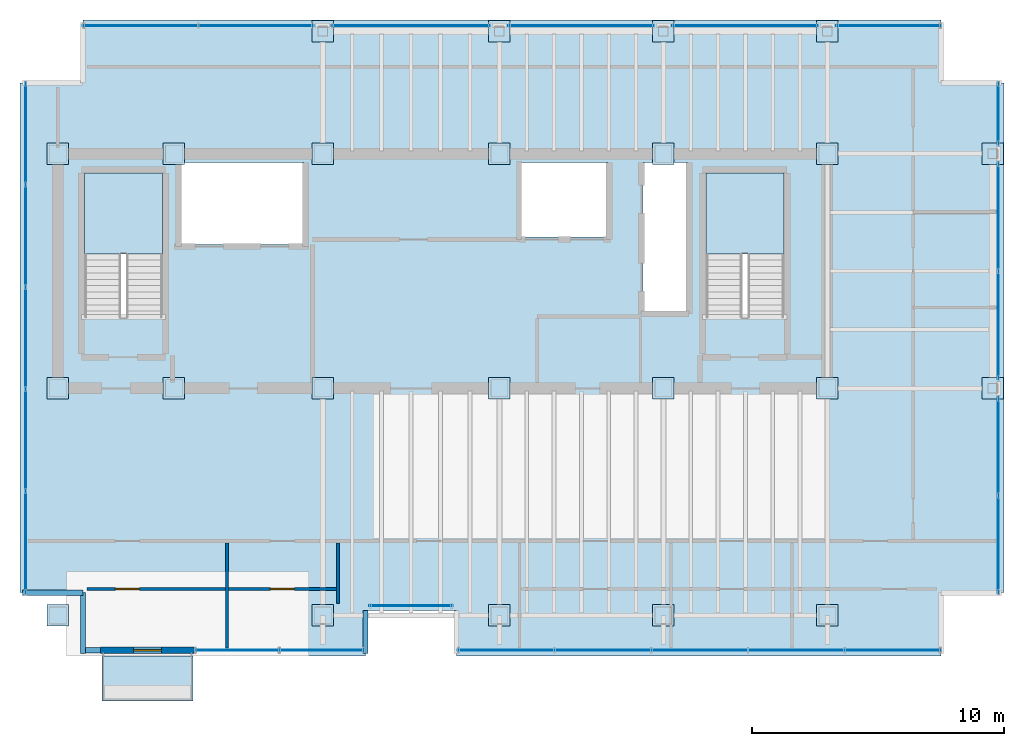
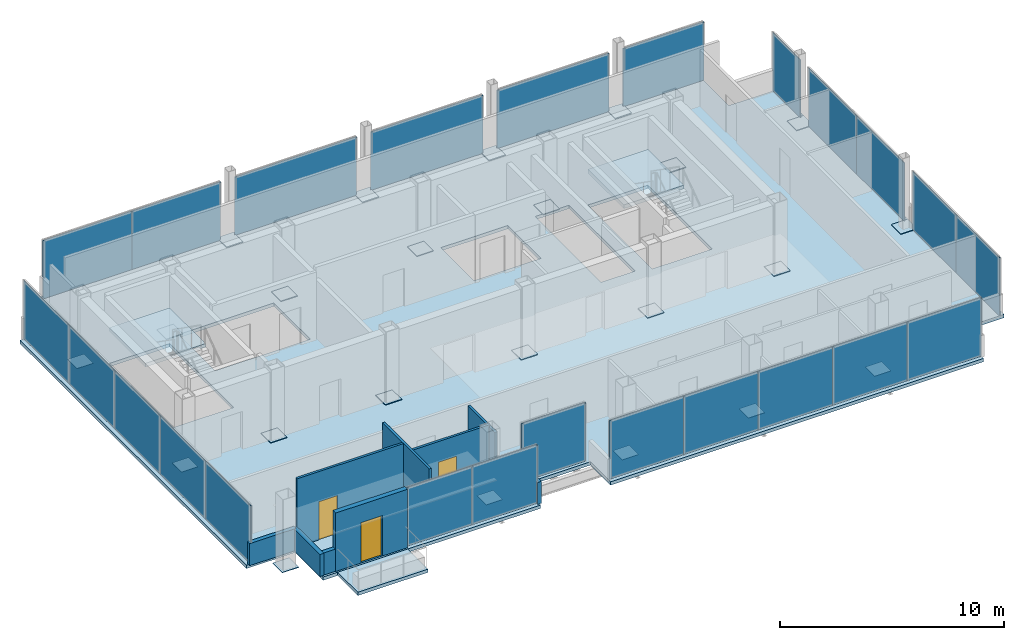
# One storey, part 14 of 17: 47 plates, 9 walls, 4 slabs, 3 doors, 8 openings, 14 elements without a shape of their own.
"""IFC4 building model written with IfcOpenShell, lengths in metres."""

import ifcopenshell
import ifcopenshell.guid

model = None  # the IFC model being written
_history = None  # IfcOwnerHistory: only IFC2X3 demands one
_inside = {}  # id of a spatial element -> (the spatial element, [elements in it])
_under = {}  # id of a project, library or spatial element -> (it, [spatial elements below it])
_declared = {}  # id of a project -> (the project, [libraries it declares])
_typed = {}  # id of a type object -> (the type object, [elements of that type])
_made_of = {}  # id of a material, layer set ... -> (it, [elements and type objects made of it])


def new_model(schema):
    """Start an empty IFC model of exactly this schema.

    Asked for "IFC4X3", IfcOpenShell would pick the latest addendum, in which some entities
    have other attributes; the version numbers below select the first issue.
    IFC2X3 requires an IfcOwnerHistory on every rooted entity: one is made here for all.
    """
    global model, _history
    if schema == "IFC4X3":
        model = ifcopenshell.file(schema_version=(4, 3, 0, 0))
    else:
        model = ifcopenshell.file(schema=schema)
    _inside.clear()
    _under.clear()
    _declared.clear()
    _typed.clear()
    _made_of.clear()
    _history = None
    if model.schema == "IFC2X3":
        org = make("IfcOrganization", Name="unknown")
        user = make(
            "IfcPersonAndOrganization",
            ThePerson=make("IfcPerson", FamilyName="unknown"),
            TheOrganization=org,
        )
        app = make(
            "IfcApplication",
            ApplicationDeveloper=org,
            Version="unknown",
            ApplicationFullName="unknown",
            ApplicationIdentifier="unknown",
        )
        _history = make(
            "IfcOwnerHistory",
            OwningUser=user,
            OwningApplication=app,
            ChangeAction="ADDED",
            CreationDate=0,
        )
    return model


def make(cls, **values):
    """One entity of the class cls with the attributes given. An attribute that is None is left unset."""
    return model.create_entity(
        cls, **{name: value for name, value in values.items() if value is not None}
    )


def rooted(cls, **values):
    """An entity with a GlobalId (a new one), such as an element, a storey or a relation."""
    return make(cls, GlobalId=ifcopenshell.guid.new(), OwnerHistory=_history, **values)


def si_unit(unit_type, name, prefix=None):
    """IfcSIUnit, for example si_unit("LENGTHUNIT", "METRE", prefix="MILLI")."""
    return make("IfcSIUnit", UnitType=unit_type, Prefix=prefix, Name=name)


def assignment(units):
    """IfcUnitAssignment: the units of a project."""
    return None if units is None else make("IfcUnitAssignment", Units=units)


def point(xyz):
    """IfcCartesianPoint."""
    return None if xyz is None else make("IfcCartesianPoint", Coordinates=xyz)


def direction(xyz):
    """IfcDirection."""
    return None if xyz is None else make("IfcDirection", DirectionRatios=xyz)


def frame(location, z_axis=None, x_axis=None):
    """IfcAxis2Placement3D, a coordinate frame: its origin and axes. An axis left out is left unset."""
    return make(
        "IfcAxis2Placement3D",
        Location=point(location),
        Axis=direction(z_axis),
        RefDirection=direction(x_axis),
    )


def frame_2d(location, x_axis=None):
    """IfcAxis2Placement2D, a coordinate frame in the plane: its origin and x axis."""
    return make(
        "IfcAxis2Placement2D", Location=point(location), RefDirection=direction(x_axis)
    )


def origin():
    """The frame at (0, 0, 0) with its axes left unset."""
    return frame((0.0, 0.0, 0.0))


def origin_2d():
    """The frame at (0, 0) in the plane with its x axis left unset."""
    return frame_2d((0.0, 0.0))


def place(relative_to, where):
    """IfcLocalPlacement: puts the frame where relative to a parent placement (None: the world)."""
    return make(
        "IfcLocalPlacement", PlacementRelTo=relative_to, RelativePlacement=where
    )


def context(
    kind, dimensions, precision=None, world=None, true_north=None, identifier=None
):
    """IfcGeometricRepresentationContext, for example the 3D "Model" context."""
    return make(
        "IfcGeometricRepresentationContext",
        ContextIdentifier=identifier,
        ContextType=kind,
        CoordinateSpaceDimension=dimensions,
        Precision=precision,
        WorldCoordinateSystem=world,
        TrueNorth=true_north,
    )


def subcontext(parent, identifier, kind, view, scale=None):
    """IfcGeometricRepresentationSubContext, for example "Body" below "Model"."""
    return make(
        "IfcGeometricRepresentationSubContext",
        ContextIdentifier=identifier,
        ContextType=kind,
        ParentContext=parent,
        TargetScale=scale,
        TargetView=view,
    )


def project(units=None, contexts=None):
    """IfcProject with its units and contexts."""
    return rooted(
        "IfcProject",
        Name="project",
        RepresentationContexts=contexts,
        UnitsInContext=assignment(units),
    )


def spatial(cls, under=None, at=None, **own):
    """A site, building, storey or space (cls), placed at a placement, below another one or the project."""
    s = rooted(cls, ObjectPlacement=at, **own)
    if under is not None:
        _under.setdefault(under.id(), (under, []))[1].append(s)
    return s


def polyline(points):
    """IfcPolyline through the points."""
    return make("IfcPolyline", Points=[point(p) for p in points])


def profile(cls, at=None, kind="AREA", **sizes):
    """A parametric profile (cls). Its sizes go by their IFC names, for example OverallWidth=200.0."""
    return make(cls, ProfileType=kind, Position=at, **sizes)


def rectangle(**sizes):
    """IfcRectangleProfileDef."""
    return profile("IfcRectangleProfileDef", **sizes)


def outline(outer, holes=None, kind="AREA"):
    """IfcArbitraryClosedProfileDef: a profile drawn as a closed curve; with holes, ...WithVoids."""
    if holes is None:
        return make("IfcArbitraryClosedProfileDef", ProfileType=kind, OuterCurve=outer)
    return make(
        "IfcArbitraryProfileDefWithVoids",
        ProfileType=kind,
        OuterCurve=outer,
        InnerCurves=holes,
    )


def extrude(swept, where, along, depth):
    """IfcExtrudedAreaSolid: the profile swept, set in the frame where, extruded along a direction by depth."""
    return make(
        "IfcExtrudedAreaSolid",
        SweptArea=swept,
        Position=where,
        ExtrudedDirection=direction(along),
        Depth=depth,
    )


def shape(context_of_items, identifier, shape_type, items):
    """IfcShapeRepresentation: the items that make up one representation, for example the "Body"."""
    return make(
        "IfcShapeRepresentation",
        ContextOfItems=context_of_items,
        RepresentationIdentifier=identifier,
        RepresentationType=shape_type,
        Items=items,
    )


def material(Name=None, Category=None):
    """IfcMaterial."""
    return make("IfcMaterial", Name=Name, Category=Category)


def layer(
    of_material, thickness, ventilated=None, Name=None, Category=None, Priority=None
):
    """IfcMaterialLayer: one layer of a wall or slab, of a material (None: an air gap)."""
    return make(
        "IfcMaterialLayer",
        Material=of_material,
        LayerThickness=thickness,
        IsVentilated=ventilated,
        Name=Name,
        Category=Category,
        Priority=Priority,
    )


def layer_set(layers, Name=None):
    """IfcMaterialLayerSet."""
    return make("IfcMaterialLayerSet", MaterialLayers=layers, LayerSetName=Name)


def made_of(thing, what):
    """Note that an element or type object is made of a material, layer set ...; save() writes the relation."""
    if what is not None:
        _made_of.setdefault(what.id(), (what, []))[1].append(thing)
    return thing


def type_object(cls, material=None, **own):
    """A type object (cls), such as IfcWallType, which elements share."""
    return made_of(rooted(cls, **own), material)


def element(
    cls,
    number,
    at=None,
    inside=None,
    cuts=None,
    type_object=None,
    material=None,
    context=None,
    identifier="Body",
    shape_type=None,
    held_by="IfcProductDefinitionShape",
    body=None,
    shapes=None,
    **own,
):
    """One element of the class cls, such as IfcWall. Its Tag is "e" and its number.

    at: its placement. inside: the storey or other place that contains it. cuts: it is an
    opening in that element (IfcRelVoidsElement). A single representation is given by context,
    identifier, shape_type and body (its items); several are given by shapes. held_by: the class
    of the entity that holds the representations. save() writes the other relations.
    """
    e = rooted(cls, Tag="e%d" % number, ObjectPlacement=at, **own)
    if body is not None:
        shapes = [shape(context, identifier, shape_type, body)]
    if shapes is not None:
        e.Representation = make(held_by, Representations=shapes)
    if inside is not None:
        _inside.setdefault(inside.id(), (inside, []))[1].append(e)
    if cuts is not None:
        rooted(
            "IfcRelVoidsElement", RelatingBuildingElement=cuts, RelatedOpeningElement=e
        )
    if type_object is not None:
        _typed.setdefault(type_object.id(), (type_object, []))[1].append(e)
    return made_of(e, material)


def fill(opening, filler):
    """IfcRelFillsElement: the door or window that sits in an opening."""
    return rooted(
        "IfcRelFillsElement",
        RelatingOpeningElement=opening,
        RelatedBuildingElement=filler,
    )


def aggregate(whole, parts):
    """IfcRelAggregates: a whole, such as a stair, and the parts it consists of."""
    return rooted("IfcRelAggregates", RelatingObject=whole, RelatedObjects=parts)


def save(model, path):
    """Write the relations noted so far, then the file.

    IfcRelAggregates (storeys below a building ...), IfcRelContainedInSpatialStructure (elements
    in a storey), IfcRelDefinesByType, IfcRelAssociatesMaterial and IfcRelDeclares: one each for
    every whole, place, type object, material and project.
    """
    for whole, parts in _under.values():
        aggregate(whole, parts)
    for where, things in _inside.values():
        rooted(
            "IfcRelContainedInSpatialStructure",
            RelatedElements=things,
            RelatingStructure=where,
        )
    for kind, things in _typed.values():
        rooted("IfcRelDefinesByType", RelatedObjects=things, RelatingType=kind)
    for what, things in _made_of.values():
        rooted("IfcRelAssociatesMaterial", RelatedObjects=things, RelatingMaterial=what)
    for by, libraries in _declared.values():
        rooted("IfcRelDeclares", RelatingContext=by, RelatedDefinitions=libraries)
    model.write(path)


model = new_model("IFC4")

# Units and contexts
model_context = context("Model", 3, precision=1e-05, world=origin(), true_north=direction((0.0, 1.0)))
body_context = subcontext(model_context, "Body", "Model", "MODEL_VIEW")
ifc_project = project(units=[si_unit("LENGTHUNIT", "METRE"), si_unit("AREAUNIT", "SQUARE_METRE"), si_unit("VOLUMEUNIT", "CUBIC_METRE"), si_unit("PLANEANGLEUNIT", "RADIAN"), si_unit("MASSUNIT", "GRAM", prefix="KILO")], contexts=[model_context])

# Site, building, storey
site_placement = place(None, origin())
site = spatial("IfcSite", under=ifc_project, at=site_placement, CompositionType="ELEMENT")
building_placement = place(site_placement, origin())
building = spatial("IfcBuilding", under=site, at=building_placement, Name="Noeulbin Bourse Tower", CompositionType="ELEMENT")
storey_placement = place(building_placement, frame((0.0, 0.0, 296.89990234375)))
storey = spatial("IfcBuildingStorey", under=building, at=storey_placement, Name="L74", CompositionType="ELEMENT", Elevation=296.89990234375)

# Curtain wall, plate
ifc_material_1 = material(Name="High-Selectivity Low-Iron Glazing", Category="glass")
curtain_wall_type = type_object("IfcCurtainWallType", Name="CW-SYS-4", PredefinedType="NOTDEFINED", material=ifc_material_1)
curtain_wall_1_placement = place(storey_placement, origin())
curtain_wall_1 = element("IfcCurtainWall", 1, at=curtain_wall_1_placement, inside=storey, type_object=curtain_wall_type, Name="Unitised Curtain Wall CW-L74-SREC", PredefinedType="NOTDEFINED")
ifc_layer_1 = layer(ifc_material_1, 0.035888671875)
ifc_layer_set_1 = layer_set([ifc_layer_1], Name="High-Selectivity Low-Iron Glazing")
plate_type_1 = type_object("IfcPlateType", Name="CW-SYS-4-PNL", PredefinedType="CURTAIN_PANEL", material=ifc_layer_set_1)
plate_1_placement = place(storey_placement, frame((27.5, 20.3798828125, 0.0), z_axis=(0.0, 0.0, 1.0), x_axis=(1.0, 0.0, 0.0)))
plate_1 = element("IfcPlate", 2, at=plate_1_placement, type_object=plate_type_1, Name="Glazed Curtain Panel CW-L74-SREC-P00", PredefinedType="CURTAIN_PANEL", context=body_context, shape_type="SweptSolid", body=[
    extrude(rectangle(XDim=3.300048828125, YDim=0.035888671875, at=origin_2d()), origin(), (0.0, 0.0, 1.0), 3.179931640625),
])
aggregate(curtain_wall_1, [plate_1])

# Curtain wall, plates
curtain_wall_2_placement = place(storey_placement, origin())
curtain_wall_2 = element("IfcCurtainWall", 3, at=curtain_wall_2_placement, inside=storey, type_object=curtain_wall_type, Name="Unitised Curtain Wall CW-L74-S1", PredefinedType="NOTDEFINED")
plate_2_placement = place(storey_placement, frame((20.58740234375, 18.6201171875, 0.0), z_axis=(0.0, 0.0, 1.0), x_axis=(1.0, 0.0, 0.0)))
plate_2 = element("IfcPlate", 4, at=plate_2_placement, type_object=plate_type_1, Name="Glazed Curtain Panel CW-L74-S1-P00", PredefinedType="CURTAIN_PANEL", context=body_context, shape_type="SweptSolid", body=[
    extrude(rectangle(XDim=3.375, YDim=0.035888671875, at=origin_2d()), origin(), (0.0, 0.0, 1.0), 3.179931640625),
])
plate_3_placement = place(storey_placement, frame((23.96240234375, 18.6201171875, 0.0), z_axis=(0.0, 0.0, 1.0), x_axis=(1.0, 0.0, 0.0)))
plate_3 = element("IfcPlate", 5, at=plate_3_placement, type_object=plate_type_1, Name="Glazed Curtain Panel CW-L74-S1-P01", PredefinedType="CURTAIN_PANEL", context=body_context, shape_type="SweptSolid", body=[
    extrude(rectangle(XDim=3.375, YDim=0.035888671875, at=origin_2d()), origin(), (0.0, 0.0, 1.0), 3.179931640625),
])
aggregate(curtain_wall_2, [plate_2, plate_3])

curtain_wall_3_placement = place(storey_placement, origin())
curtain_wall_3 = element("IfcCurtainWall", 6, at=curtain_wall_3_placement, inside=storey, type_object=curtain_wall_type, Name="Unitised Curtain Wall CW-L74-S2", PredefinedType="NOTDEFINED")
plate_4_placement = place(storey_placement, frame((31.26708984375, 18.6201171875, 0.0), z_axis=(0.0, 0.0, 1.0), x_axis=(1.0, 0.0, 0.0)))
plate_4 = element("IfcPlate", 7, at=plate_4_placement, type_object=plate_type_1, Name="Glazed Curtain Panel CW-L74-S2-P00", PredefinedType="CURTAIN_PANEL", context=body_context, shape_type="SweptSolid", body=[
    extrude(rectangle(XDim=3.833984375, YDim=0.035888671875, at=origin_2d()), origin(), (0.0, 0.0, 1.0), 3.179931640625),
])
plate_5_placement = place(storey_placement, frame((35.10107421875, 18.6201171875, 0.0), z_axis=(0.0, 0.0, 1.0), x_axis=(1.0, 0.0, 0.0)))
plate_5 = element("IfcPlate", 8, at=plate_5_placement, type_object=plate_type_1, Name="Glazed Curtain Panel CW-L74-S2-P01", PredefinedType="CURTAIN_PANEL", context=body_context, shape_type="SweptSolid", body=[
    extrude(rectangle(XDim=3.833984375, YDim=0.035888671875, at=origin_2d()), origin(), (0.0, 0.0, 1.0), 3.179931640625),
])
plate_6_placement = place(storey_placement, frame((38.93505859375, 18.6201171875, 0.0), z_axis=(0.0, 0.0, 1.0), x_axis=(1.0, 0.0, 0.0)))
plate_6 = element("IfcPlate", 9, at=plate_6_placement, type_object=plate_type_1, Name="Glazed Curtain Panel CW-L74-S2-P02", PredefinedType="CURTAIN_PANEL", context=body_context, shape_type="SweptSolid", body=[
    extrude(rectangle(XDim=3.833984375, YDim=0.035888671875, at=origin_2d()), origin(), (0.0, 0.0, 1.0), 3.179931640625),
])
plate_7_placement = place(storey_placement, frame((42.76904296875, 18.6201171875, 0.0), z_axis=(0.0, 0.0, 1.0), x_axis=(1.0, 0.0, 0.0)))
plate_7 = element("IfcPlate", 10, at=plate_7_placement, type_object=plate_type_1, Name="Glazed Curtain Panel CW-L74-S2-P03", PredefinedType="CURTAIN_PANEL", context=body_context, shape_type="SweptSolid", body=[
    extrude(rectangle(XDim=3.833984375, YDim=0.035888671875, at=origin_2d()), origin(), (0.0, 0.0, 1.0), 3.179931640625),
])
plate_8_placement = place(storey_placement, frame((46.60302734375, 18.6201171875, 0.0), z_axis=(0.0, 0.0, 1.0), x_axis=(1.0, 0.0, 0.0)))
plate_8 = element("IfcPlate", 11, at=plate_8_placement, type_object=plate_type_1, Name="Glazed Curtain Panel CW-L74-S2-P04", PredefinedType="CURTAIN_PANEL", context=body_context, shape_type="SweptSolid", body=[
    extrude(rectangle(XDim=3.833984375, YDim=0.035888671875, at=origin_2d()), origin(), (0.0, 0.0, 1.0), 3.179931640625),
])
aggregate(curtain_wall_3, [plate_4, plate_5, plate_6, plate_7, plate_8])

curtain_wall_4_placement = place(storey_placement, origin())
curtain_wall_4 = element("IfcCurtainWall", 12, at=curtain_wall_4_placement, inside=storey, type_object=curtain_wall_type, Name="Unitised Curtain Wall CW-L74-N-S1", PredefinedType="NOTDEFINED")
plate_9_placement = place(storey_placement, frame((16.77001953125, 43.3798828125, 0.0), z_axis=(0.0, 0.0, 1.0), x_axis=(1.0, 0.0, 0.0)))
plate_9 = element("IfcPlate", 13, at=plate_9_placement, type_object=plate_type_1, Name="Glazed Curtain Panel CW-L74-N-S1-P00", PredefinedType="CURTAIN_PANEL", context=body_context, shape_type="SweptSolid", body=[
    extrude(rectangle(XDim=4.580078125, YDim=0.035888671875, at=origin_2d()), origin(), (0.0, 0.0, 1.0), 3.179931640625),
])
plate_10_placement = place(storey_placement, frame((21.35009765625, 43.3798828125, 0.0), z_axis=(0.0, 0.0, 1.0), x_axis=(1.0, 0.0, 0.0)))
plate_10 = element("IfcPlate", 14, at=plate_10_placement, type_object=plate_type_1, Name="Glazed Curtain Panel CW-L74-N-S1-P01", PredefinedType="CURTAIN_PANEL", context=body_context, shape_type="SweptSolid", body=[
    extrude(rectangle(XDim=4.580078125, YDim=0.035888671875, at=origin_2d()), origin(), (0.0, 0.0, 1.0), 3.179931640625),
])
aggregate(curtain_wall_4, [plate_9, plate_10])

# Curtain wall, plate
curtain_wall_5_placement = place(storey_placement, origin())
curtain_wall_5 = element("IfcCurtainWall", 15, at=curtain_wall_5_placement, inside=storey, type_object=curtain_wall_type, Name="Unitised Curtain Wall CW-L74-N-S2", PredefinedType="NOTDEFINED")
plate_11_placement = place(storey_placement, frame((27.5, 43.3798828125, 0.0), z_axis=(0.0, 0.0, 1.0), x_axis=(1.0, 0.0, 0.0)))
plate_11 = element("IfcPlate", 16, at=plate_11_placement, type_object=plate_type_1, Name="Glazed Curtain Panel CW-L74-N-S2-P00", PredefinedType="CURTAIN_PANEL", context=body_context, shape_type="SweptSolid", body=[
    extrude(rectangle(XDim=6.280029296875, YDim=0.035888671875, at=origin_2d()), origin(), (0.0, 0.0, 1.0), 3.179931640625),
])
aggregate(curtain_wall_5, [plate_11])

curtain_wall_6_placement = place(storey_placement, origin())
curtain_wall_6 = element("IfcCurtainWall", 17, at=curtain_wall_6_placement, inside=storey, type_object=curtain_wall_type, Name="Unitised Curtain Wall CW-L74-N-S3", PredefinedType="NOTDEFINED")
plate_12_placement = place(storey_placement, frame((34.25, 43.3798828125, 0.0), z_axis=(0.0, 0.0, 1.0), x_axis=(1.0, 0.0, 0.0)))
plate_12 = element("IfcPlate", 18, at=plate_12_placement, type_object=plate_type_1, Name="Glazed Curtain Panel CW-L74-N-S3-P00", PredefinedType="CURTAIN_PANEL", context=body_context, shape_type="SweptSolid", body=[
    extrude(rectangle(XDim=5.780029296875, YDim=0.035888671875, at=origin_2d()), origin(), (0.0, 0.0, 1.0), 3.179931640625),
])
aggregate(curtain_wall_6, [plate_12])

curtain_wall_7_placement = place(storey_placement, origin())
curtain_wall_7 = element("IfcCurtainWall", 19, at=curtain_wall_7_placement, inside=storey, type_object=curtain_wall_type, Name="Unitised Curtain Wall CW-L74-N-S4", PredefinedType="NOTDEFINED")
plate_13_placement = place(storey_placement, frame((40.75, 43.3798828125, 0.0), z_axis=(0.0, 0.0, 1.0), x_axis=(1.0, 0.0, 0.0)))
plate_13 = element("IfcPlate", 20, at=plate_13_placement, type_object=plate_type_1, Name="Glazed Curtain Panel CW-L74-N-S4-P00", PredefinedType="CURTAIN_PANEL", context=body_context, shape_type="SweptSolid", body=[
    extrude(rectangle(XDim=5.780029296875, YDim=0.035888671875, at=origin_2d()), origin(), (0.0, 0.0, 1.0), 3.179931640625),
])
aggregate(curtain_wall_7, [plate_13])

curtain_wall_8_placement = place(storey_placement, origin())
curtain_wall_8 = element("IfcCurtainWall", 21, at=curtain_wall_8_placement, inside=storey, type_object=curtain_wall_type, Name="Unitised Curtain Wall CW-L74-N-S5", PredefinedType="NOTDEFINED")
plate_14_placement = place(storey_placement, frame((46.43994140625, 43.3798828125, 0.0), z_axis=(0.0, 0.0, 1.0), x_axis=(1.0, 0.0, 0.0)))
plate_14 = element("IfcPlate", 22, at=plate_14_placement, type_object=plate_type_1, Name="Glazed Curtain Panel CW-L74-N-S5-P00", PredefinedType="CURTAIN_PANEL", context=body_context, shape_type="SweptSolid", body=[
    extrude(rectangle(XDim=4.159912109375, YDim=0.035888671875, at=origin_2d()), origin(), (0.0, 0.0, 1.0), 3.179931640625),
])
aggregate(curtain_wall_8, [plate_14])

# Curtain wall, plates
curtain_wall_9_placement = place(storey_placement, origin())
curtain_wall_9 = element("IfcCurtainWall", 23, at=curtain_wall_9_placement, inside=storey, type_object=curtain_wall_type, Name="Unitised Curtain Wall CW-L74-W", PredefinedType="NOTDEFINED")
plate_15_placement = place(storey_placement, frame((12.219970703125, 22.904052734375, 0.0), z_axis=(0.0, 0.0, 1.0), x_axis=(0.0, 1.0, 0.0)))
plate_15 = element("IfcPlate", 24, at=plate_15_placement, type_object=plate_type_1, Name="Glazed Curtain Panel CW-L74-W-P00", PredefinedType="CURTAIN_PANEL", context=body_context, shape_type="SweptSolid", body=[
    extrude(rectangle(XDim=4.048095703125, YDim=0.035888671875, at=origin_2d()), origin(), (0.0, 0.0, 1.0), 3.179931640625),
])
plate_16_placement = place(storey_placement, frame((12.219970703125, 26.951904296875, 0.0), z_axis=(0.0, 0.0, 1.0), x_axis=(0.0, 1.0, 0.0)))
plate_16 = element("IfcPlate", 25, at=plate_16_placement, type_object=plate_type_1, Name="Glazed Curtain Panel CW-L74-W-P01", PredefinedType="CURTAIN_PANEL", context=body_context, shape_type="SweptSolid", body=[
    extrude(rectangle(XDim=4.048095703125, YDim=0.035888671875, at=origin_2d()), origin(), (0.0, 0.0, 1.0), 3.179931640625),
])
plate_17_placement = place(storey_placement, frame((12.219970703125, 31.0, 0.0), z_axis=(0.0, 0.0, 1.0), x_axis=(0.0, 1.0, 0.0)))
plate_17 = element("IfcPlate", 26, at=plate_17_placement, type_object=plate_type_1, Name="Glazed Curtain Panel CW-L74-W-P02", PredefinedType="CURTAIN_PANEL", context=body_context, shape_type="SweptSolid", body=[
    extrude(rectangle(XDim=4.048095703125, YDim=0.035888671875, at=origin_2d()), origin(), (0.0, 0.0, 1.0), 3.179931640625),
])
plate_18_placement = place(storey_placement, frame((12.219970703125, 35.048095703125, 0.0), z_axis=(0.0, 0.0, 1.0), x_axis=(0.0, 1.0, 0.0)))
plate_18 = element("IfcPlate", 27, at=plate_18_placement, type_object=plate_type_1, Name="Glazed Curtain Panel CW-L74-W-P03", PredefinedType="CURTAIN_PANEL", context=body_context, shape_type="SweptSolid", body=[
    extrude(rectangle(XDim=4.048095703125, YDim=0.035888671875, at=origin_2d()), origin(), (0.0, 0.0, 1.0), 3.179931640625),
])
plate_19_placement = place(storey_placement, frame((12.219970703125, 39.095947265625, 0.0), z_axis=(0.0, 0.0, 1.0), x_axis=(0.0, 1.0, 0.0)))
plate_19 = element("IfcPlate", 28, at=plate_19_placement, type_object=plate_type_1, Name="Glazed Curtain Panel CW-L74-W-P04", PredefinedType="CURTAIN_PANEL", context=body_context, shape_type="SweptSolid", body=[
    extrude(rectangle(XDim=4.048095703125, YDim=0.035888671875, at=origin_2d()), origin(), (0.0, 0.0, 1.0), 3.179931640625),
])
aggregate(curtain_wall_9, [plate_15, plate_16, plate_17, plate_18, plate_19])

curtain_wall_10_placement = place(storey_placement, origin())
curtain_wall_10 = element("IfcCurtainWall", 29, at=curtain_wall_10_placement, inside=storey, type_object=curtain_wall_type, Name="Unitised Curtain Wall CW-L74-E-S1", PredefinedType="NOTDEFINED")
plate_20_placement = place(storey_placement, frame((50.780029296875, 22.820068359375, 0.0), z_axis=(0.0, 0.0, 1.0), x_axis=(0.0, 1.0, 0.0)))
plate_20 = element("IfcPlate", 30, at=plate_20_placement, type_object=plate_type_1, Name="Glazed Curtain Panel CW-L74-E-S1-P00", PredefinedType="CURTAIN_PANEL", context=body_context, shape_type="SweptSolid", body=[
    extrude(rectangle(XDim=3.8798828125, YDim=0.035888671875, at=origin_2d()), origin(), (0.0, 0.0, 1.0), 3.179931640625),
])
plate_21_placement = place(storey_placement, frame((50.780029296875, 26.699951171875, 0.0), z_axis=(0.0, 0.0, 1.0), x_axis=(0.0, 1.0, 0.0)))
plate_21 = element("IfcPlate", 31, at=plate_21_placement, type_object=plate_type_1, Name="Glazed Curtain Panel CW-L74-E-S1-P01", PredefinedType="CURTAIN_PANEL", context=body_context, shape_type="SweptSolid", body=[
    extrude(rectangle(XDim=3.8798828125, YDim=0.035888671875, at=origin_2d()), origin(), (0.0, 0.0, 1.0), 3.179931640625),
])
aggregate(curtain_wall_10, [plate_20, plate_21])

curtain_wall_11_placement = place(storey_placement, origin())
curtain_wall_11 = element("IfcCurtainWall", 32, at=curtain_wall_11_placement, inside=storey, type_object=curtain_wall_type, Name="Unitised Curtain Wall CW-L74-E-S2", PredefinedType="NOTDEFINED")
plate_22_placement = place(storey_placement, frame((50.780029296875, 31.5048828125, 0.0), z_axis=(0.0, 0.0, 1.0), x_axis=(0.0, 1.0, 0.0)))
plate_22 = element("IfcPlate", 33, at=plate_22_placement, type_object=plate_type_1, Name="Glazed Curtain Panel CW-L74-E-S2-P00", PredefinedType="CURTAIN_PANEL", context=body_context, shape_type="SweptSolid", body=[
    extrude(rectangle(XDim=4.2900390625, YDim=0.035888671875, at=origin_2d()), origin(), (0.0, 0.0, 1.0), 3.179931640625),
])
plate_23_placement = place(storey_placement, frame((50.780029296875, 35.794921875, 0.0), z_axis=(0.0, 0.0, 1.0), x_axis=(0.0, 1.0, 0.0)))
plate_23 = element("IfcPlate", 34, at=plate_23_placement, type_object=plate_type_1, Name="Glazed Curtain Panel CW-L74-E-S2-P01", PredefinedType="CURTAIN_PANEL", context=body_context, shape_type="SweptSolid", body=[
    extrude(rectangle(XDim=4.2900390625, YDim=0.035888671875, at=origin_2d()), origin(), (0.0, 0.0, 1.0), 3.179931640625),
])
aggregate(curtain_wall_11, [plate_22, plate_23])

# Curtain wall, plate
curtain_wall_12_placement = place(storey_placement, origin())
curtain_wall_12 = element("IfcCurtainWall", 35, at=curtain_wall_12_placement, inside=storey, type_object=curtain_wall_type, Name="Unitised Curtain Wall CW-L74-E-S3", PredefinedType="NOTDEFINED")
plate_24_placement = place(storey_placement, frame((50.780029296875, 39.889892578125, 0.0), z_axis=(0.0, 0.0, 1.0), x_axis=(0.0, 1.0, 0.0)))
plate_24 = element("IfcPlate", 36, at=plate_24_placement, type_object=plate_type_1, Name="Glazed Curtain Panel CW-L74-E-S3-P00", PredefinedType="CURTAIN_PANEL", context=body_context, shape_type="SweptSolid", body=[
    extrude(rectangle(XDim=2.4599609375, YDim=0.035888671875, at=origin_2d()), origin(), (0.0, 0.0, 1.0), 3.179931640625),
])
aggregate(curtain_wall_12, [plate_24])

# Plates
ifc_material_2 = material(Name="Steel S355", Category="steel")
ifc_layer_2 = layer(ifc_material_2, 0.030029296875)
ifc_layer_set_2 = layer_set([ifc_layer_2], Name="Steel S355")
plate_type_2 = type_object("IfcPlateType", Name="PLT-BN1", PredefinedType="USERDEFINED", material=ifc_layer_set_2)
for number, where, z_axis, x_axis, name in (
    (37, (13.5, 29.0, 0.0048828125), (0.0, 0.0, 1.0), (1.0, 0.0, 0.0), "Mega-Column Splice Plate BN1-L74-01"),
    (38, (13.5, 38.300048828125, 0.0048828125), (0.0, 0.0, 1.0), (1.0, 0.0, 0.0), "Mega-Column Splice Plate BN1-L74-02"),
    (39, (18.10009765625, 29.0, 0.0048828125), (0.0, 0.0, 1.0), (1.0, 0.0, 0.0), "Mega-Column Splice Plate BN1-L74-03"),
    (40, (18.10009765625, 38.300048828125, 0.0048828125), (0.0, 0.0, 1.0), (1.0, 0.0, 0.0), "Mega-Column Splice Plate BN1-L74-04"),
    (41, (24.0, 29.0, 0.0048828125), (0.0, 0.0, 1.0), (1.0, 0.0, 0.0), "Mega-Column Splice Plate BN1-L74-05"),
    (42, (24.0, 38.300048828125, 0.0048828125), (0.0, 0.0, 1.0), (1.0, 0.0, 0.0), "Mega-Column Splice Plate BN1-L74-06"),
    (43, (31.0, 29.0, 0.0048828125), (0.0, 0.0, 1.0), (1.0, 0.0, 0.0), "Mega-Column Splice Plate BN1-L74-07"),
    (44, (31.0, 38.300048828125, 0.0048828125), (0.0, 0.0, 1.0), (1.0, 0.0, 0.0), "Mega-Column Splice Plate BN1-L74-08"),
    (45, (37.5, 29.0, 0.0048828125), (0.0, 0.0, 1.0), (1.0, 0.0, 0.0), "Mega-Column Splice Plate BN1-L74-09"),
    (46, (37.5, 38.300048828125, 0.0048828125), (0.0, 0.0, 1.0), (1.0, 0.0, 0.0), "Mega-Column Splice Plate BN1-L74-10"),
    (47, (44.0, 29.0, 0.0048828125), (0.0, 0.0, 1.0), (1.0, 0.0, 0.0), "Mega-Column Splice Plate BN1-L74-11"),
    (48, (44.0, 38.300048828125, 0.0048828125), (0.0, 0.0, 1.0), (1.0, 0.0, 0.0), "Mega-Column Splice Plate BN1-L74-12"),
    (49, (13.5, 20.0, 0.0048828125), (0.0, 0.0, 1.0), (1.0, 0.0, 0.0), "Mega-Column Splice Plate BN1-L74-13"),
    (50, (24.0, 20.0, 0.0048828125), (0.0, 0.0, 1.0), (1.0, 0.0, 0.0), "Mega-Column Splice Plate BN1-L74-14"),
    (51, (31.0, 20.0, 0.0048828125), (0.0, 0.0, 1.0), (1.0, 0.0, 0.0), "Mega-Column Splice Plate BN1-L74-15"),
    (52, (37.5, 20.0, 0.0048828125), (0.0, 0.0, 1.0), (1.0, 0.0, 0.0), "Mega-Column Splice Plate BN1-L74-16"),
    (53, (44.0, 20.0, 0.0048828125), (0.0, 0.0, 1.0), (1.0, 0.0, 0.0), "Mega-Column Splice Plate BN1-L74-17"),
    (54, (24.0, 43.14990234375, 0.0048828125), (0.0, 0.0, 1.0), (1.0, 0.0, 0.0), "Perimeter Column Splice Plate BN1-L74-01"),
    (55, (31.0, 43.14990234375, 0.0048828125), (0.0, 0.0, 1.0), (1.0, 0.0, 0.0), "Perimeter Column Splice Plate BN1-L74-02"),
    (56, (37.5, 43.14990234375, 0.0048828125), (0.0, 0.0, 1.0), (1.0, 0.0, 0.0), "Perimeter Column Splice Plate BN1-L74-03"),
    (57, (44.0, 43.14990234375, 0.0048828125), (0.0, 0.0, 1.0), (1.0, 0.0, 0.0), "Perimeter Column Splice Plate BN1-L74-04"),
    (58, (50.550048828125, 29.0, 0.0048828125), (0.0, 0.0, 1.0), (1.0, 0.0, 0.0), "Perimeter Column Splice Plate BN1-L74-05"),
    (59, (50.550048828125, 38.300048828125, 0.0048828125), (0.0, 0.0, 1.0), (1.0, 0.0, 0.0), "Perimeter Column Splice Plate BN1-L74-06"),
):
    element("IfcPlate", number, at=place(storey_placement, frame(where, z_axis=z_axis, x_axis=x_axis)), inside=storey, type_object=plate_type_2, Name=name, ObjectType="SPLICE PLATE", PredefinedType="USERDEFINED", context=body_context, shape_type="SweptSolid", body=[
        extrude(rectangle(XDim=0.85009765625, YDim=0.85009765625, at=origin_2d()), origin(), (0.0, 0.0, 1.0), 0.030029296875),
    ])

# Stair, slab
ifc_material_3 = material(Name="Concrete C40/50", Category="concrete")
stair_type = type_object("IfcStairType", Name="STR-CORE-1560", PredefinedType="HALF_TURN_STAIR", material=ifc_material_3)
stair_1_placement = place(storey_placement, origin())
stair_1 = element("IfcStair", 60, at=stair_1_placement, inside=storey, type_object=stair_type, Name="L74 ST-1", PredefinedType="HALF_TURN_STAIR")
ifc_layer_3 = layer(ifc_material_3, 0.199951171875)
ifc_layer_set_3 = layer_set([ifc_layer_3], Name="Concrete C40/50")
slab_type_1 = type_object("IfcSlabType", Name="SLB-LND-200", PredefinedType="LANDING", material=ifc_layer_set_3)
slab_1_placement = place(storey_placement, frame((0.0, 0.0, 1.75)))
slab_1 = element("IfcSlab", 61, at=slab_1_placement, type_object=slab_type_1, Name="ST-1 landing 1", PredefinedType="LANDING", context=body_context, shape_type="SweptSolid", body=[
    extrude(outline(polyline([(17.64990234375, 34.330078125), (17.64990234375, 37.5439453125), (14.550048828125, 37.5439453125), (14.550048828125, 34.330078125), (17.64990234375, 34.330078125)])), origin(), (0.0, 0.0, 1.0), 0.2001953125),
])
aggregate(stair_1, [slab_1])

stair_2_placement = place(storey_placement, origin())
stair_2 = element("IfcStair", 62, at=stair_2_placement, inside=storey, type_object=stair_type, Name="L74 ST-2", PredefinedType="HALF_TURN_STAIR")
slab_2_placement = place(storey_placement, frame((0.0, 0.0, 1.75)))
slab_2 = element("IfcSlab", 63, at=slab_2_placement, type_object=slab_type_1, Name="ST-2 landing 1", PredefinedType="LANDING", context=body_context, shape_type="SweptSolid", body=[
    extrude(outline(polyline([(42.280029296875, 34.330078125), (42.280029296875, 37.5439453125), (39.179931640625, 37.5439453125), (39.179931640625, 34.330078125), (42.280029296875, 34.330078125)])), origin(), (0.0, 0.0, 1.0), 0.2001953125),
])
aggregate(stair_2, [slab_2])

# Slab, openings
ifc_layer_4 = layer(ifc_material_3, 0.179931640625)
ifc_layer_set_4 = layer_set([ifc_layer_4], Name="Concrete C40/50")
slab_type_2 = type_object("IfcSlabType", Name="SLB-TYP-180", PredefinedType="FLOOR", material=ifc_layer_set_4)
slab_3_placement = place(storey_placement, frame((0.0, 0.0, -0.179931640625)))
slab_3 = element("IfcSlab", 64, at=slab_3_placement, inside=storey, type_object=slab_type_2, Name="Tower Structural Floor Slab L74", PredefinedType="FLOOR", context=body_context, shape_type="SweptSolid", body=[
    extrude(outline(polyline([(14.5, 18.39990234375), (25.699951171875, 18.39990234375), (25.699951171875, 20.199951171875), (29.300048828125, 20.199951171875), (29.300048828125, 18.39990234375), (48.5, 18.39990234375), (48.5, 20.89990234375), (51.0, 20.89990234375), (51.0, 41.10009765625), (48.5, 41.10009765625), (48.5, 43.60009765625), (14.5, 43.60009765625), (14.5, 41.10009765625), (12.0, 41.10009765625), (12.0, 20.89990234375), (14.5, 20.89990234375), (14.5, 18.39990234375)]), holes=[polyline([(17.64990234375, 31.81005859375), (17.64990234375, 37.5439453125), (14.550048828125, 37.5439453125), (14.550048828125, 31.81005859375), (17.64990234375, 31.81005859375)]), polyline([(42.280029296875, 31.81005859375), (42.280029296875, 37.5439453125), (39.179931640625, 37.5439453125), (39.179931640625, 31.81005859375), (42.280029296875, 31.81005859375)]), polyline([(18.35009765625, 34.699951171875), (23.25, 34.699951171875), (23.25, 37.949951171875), (18.35009765625, 37.949951171875), (18.35009765625, 34.699951171875)]), polyline([(36.699951171875, 32.050048828125), (38.449951171875, 32.050048828125), (38.449951171875, 37.949951171875), (36.699951171875, 37.949951171875), (36.699951171875, 32.050048828125)]), polyline([(31.85009765625, 35.0), (35.300048828125, 35.0), (35.300048828125, 37.949951171875), (31.85009765625, 37.949951171875), (31.85009765625, 35.0)])]), origin(), (0.0, 0.0, 1.0), 0.179931640625),
])
opening_1_placement = place(slab_3_placement, frame((0.0, 0.0, -0.010009765625)))
element("IfcOpeningElement", 65, at=opening_1_placement, cuts=slab_3, Name="Slab Shaft Opening SLB-L74-TWR-1", PredefinedType="OPENING", context=body_context, shape_type="SweptSolid", body=[
    extrude(outline(polyline([(17.64990234375, 31.81005859375), (17.64990234375, 37.5439453125), (14.550048828125, 37.5439453125), (14.550048828125, 31.81005859375), (17.64990234375, 31.81005859375)])), origin(), (0.0, 0.0, 1.0), 0.199951171875),
])
opening_2_placement = place(slab_3_placement, frame((0.0, 0.0, -0.010009765625)))
element("IfcOpeningElement", 66, at=opening_2_placement, cuts=slab_3, Name="Slab Shaft Opening SLB-L74-TWR-2", PredefinedType="OPENING", context=body_context, shape_type="SweptSolid", body=[
    extrude(outline(polyline([(42.280029296875, 31.81005859375), (42.280029296875, 37.5439453125), (39.179931640625, 37.5439453125), (39.179931640625, 31.81005859375), (42.280029296875, 31.81005859375)])), origin(), (0.0, 0.0, 1.0), 0.199951171875),
])
opening_3_placement = place(slab_3_placement, frame((0.0, 0.0, -0.010009765625)))
element("IfcOpeningElement", 67, at=opening_3_placement, cuts=slab_3, Name="Slab Shaft Opening SLB-L74-TWR-3", PredefinedType="OPENING", context=body_context, shape_type="SweptSolid", body=[
    extrude(outline(polyline([(18.35009765625, 34.699951171875), (23.25, 34.699951171875), (23.25, 37.949951171875), (18.35009765625, 37.949951171875), (18.35009765625, 34.699951171875)])), origin(), (0.0, 0.0, 1.0), 0.199951171875),
])
opening_4_placement = place(slab_3_placement, frame((0.0, 0.0, -0.010009765625)))
element("IfcOpeningElement", 68, at=opening_4_placement, cuts=slab_3, Name="Slab Shaft Opening SLB-L74-TWR-4", PredefinedType="OPENING", context=body_context, shape_type="SweptSolid", body=[
    extrude(outline(polyline([(36.699951171875, 32.050048828125), (38.449951171875, 32.050048828125), (38.449951171875, 37.949951171875), (36.699951171875, 37.949951171875), (36.699951171875, 32.050048828125)])), origin(), (0.0, 0.0, 1.0), 0.199951171875),
])
opening_5_placement = place(slab_3_placement, frame((0.0, 0.0, -0.010009765625)))
element("IfcOpeningElement", 69, at=opening_5_placement, cuts=slab_3, Name="Slab Shaft Opening SLB-L74-TWR-5", PredefinedType="OPENING", context=body_context, shape_type="SweptSolid", body=[
    extrude(outline(polyline([(31.85009765625, 35.0), (35.300048828125, 35.0), (35.300048828125, 37.949951171875), (31.85009765625, 37.949951171875), (31.85009765625, 35.0)])), origin(), (0.0, 0.0, 1.0), 0.199951171875),
])

# Slab
slab_4_placement = place(storey_placement, frame((0.0, 0.0, -0.179931640625)))
element("IfcSlab", 70, at=slab_4_placement, inside=storey, type_object=slab_type_2, Name="Cantilevered Tree-Balcony Slab L74", PredefinedType="FLOOR", context=body_context, shape_type="SweptSolid", body=[
    extrude(outline(polyline([(15.25, 16.60009765625), (18.85009765625, 16.60009765625), (18.85009765625, 18.39990234375), (15.25, 18.39990234375), (15.25, 16.60009765625)])), origin(), (0.0, 0.0, 1.0), 0.179931640625),
])

# Wall, opening, door
ifc_material_4 = material(Name="Precast Concrete C40/50", Category="concrete")
ifc_layer_5 = layer(ifc_material_4, 0.25)
ifc_layer_set_5 = layer_set([ifc_layer_5], Name="Precast Concrete C40/50")
wall_type_1 = type_object("IfcWallType", Name="WAL-EXT-250", PredefinedType="STANDARD", material=ifc_layer_set_5)
wall_1_placement = place(storey_placement, frame((15.199951171875, 18.6201171875, 0.0), z_axis=(0.0, 0.0, 1.0), x_axis=(1.0, 0.0, 0.0)))
wall_1 = element("IfcWall", 71, at=wall_1_placement, inside=storey, type_object=wall_type_1, Name="Balcony Threshold Wall L74", PredefinedType="STANDARD", context=body_context, shape_type="SweptSolid", body=[
    extrude(rectangle(XDim=3.699951171875, YDim=0.25, at=frame_2d((1.85009765625, 0.0))), origin(), (0.0, 0.0, 1.0), 3.18017578125),
])
opening_6_placement = place(wall_1_placement, frame((1.300048828125, 0.0, 0.0)))
opening_6 = element("IfcOpeningElement", 72, at=opening_6_placement, cuts=wall_1, Name="Opening BD-11", PredefinedType="OPENING", context=body_context, shape_type="SweptSolid", body=[
    extrude(rectangle(XDim=1.10009765625, YDim=2.199951171875, at=frame_2d((0.550048828125, 1.10009765625))), frame((0.0, 0.135009765625, 0.0), z_axis=(0.0, -1.0, 0.0), x_axis=(1.0, 0.0, 0.0)), (0.0, 0.0, 1.0), 0.27001953125),
])
ifc_material_5 = material(Name="Thermally Broken Aluminium Framed Glass", Category="aluminium")
door_type_1 = type_object("IfcDoorType", Name="DR-BAL-1100", OperationType="SINGLE_SWING_LEFT", PredefinedType="DOOR", material=ifc_material_5)
door_1_placement = place(opening_6_placement, origin())
door_1 = element("IfcDoor", 73, at=door_1_placement, inside=storey, type_object=door_type_1, Name="Tree-Balcony Access Door BD-L74", OperationType="SINGLE_SWING_RIGHT", OverallHeight=2.199951171875, OverallWidth=1.10009765625, PredefinedType="DOOR", context=body_context, shape_type="SweptSolid", body=[
    extrude(rectangle(XDim=1.10009765625, YDim=2.199951171875, at=frame_2d((0.550048828125, 1.10009765625))), frame((0.0, 0.02490234375, 0.0), z_axis=(0.0, -1.0, 0.0), x_axis=(1.0, 0.0, 0.0)), (0.0, 0.0, 1.0), 0.050048828125),
])
fill(opening_6, door_1)

# Walls
ifc_layer_6 = layer(ifc_material_3, 0.199951171875)
ifc_layer_set_6 = layer_set([ifc_layer_6], Name="Concrete C40/50")
wall_type_2 = type_object("IfcWallType", Name="WAL-PAR-200", PredefinedType="PARAPET", material=ifc_layer_set_6)
wall_2_placement = place(storey_placement, frame((14.60009765625, 18.6201171875, 0.0), z_axis=(0.0, 0.0, 1.0), x_axis=(1.0, 0.0, 0.0)))
element("IfcWall", 74, at=wall_2_placement, inside=storey, type_object=wall_type_2, Name="Perimeter Pier Spandrel Parapet L74-S7", PredefinedType="PARAPET", context=body_context, shape_type="SweptSolid", body=[
    extrude(rectangle(XDim=0.599853515625, YDim=0.199951171875, at=frame_2d((0.2998046875, 0.0))), origin(), (0.0, 0.0, 1.0), 1.2001953125),
])
for number, where, z_axis, x_axis, name in (
    (75, (12.10009765625, 20.89990234375, 0.0), (0.0, 0.0, 1.0), (1.0, 0.0, 0.0), "Corner Notch Parapet L74-SW1"),
    (76, (14.5, 20.89990234375, 0.0), (0.0, 0.0, 1.0), (0.0, -1.0, 0.0), "Corner Notch Parapet L74-SW2"),
):
    element("IfcWall", number, at=place(storey_placement, frame(where, z_axis=z_axis, x_axis=x_axis)), inside=storey, type_object=wall_type_2, Name=name, PredefinedType="PARAPET", context=body_context, shape_type="SweptSolid", body=[
        extrude(rectangle(XDim=2.39990234375, YDim=0.199951171875, at=frame_2d((1.199951171875, 0.0))), origin(), (0.0, 0.0, 1.0), 1.2001953125),
    ])
wall_3_placement = place(storey_placement, frame((25.699951171875, 18.5, 0.0), z_axis=(0.0, 0.0, 1.0), x_axis=(0.0, 1.0, 0.0)))
element("IfcWall", 77, at=wall_3_placement, inside=storey, type_object=wall_type_2, Name="Sky-Garden Recess Parapet L74-W", PredefinedType="PARAPET", context=body_context, shape_type="SweptSolid", body=[
    extrude(rectangle(XDim=1.699951171875, YDim=0.199951171875, at=frame_2d((0.85009765625, 0.0))), origin(), (0.0, 0.0, 1.0), 1.2001953125),
])

# Wall, opening, door
ifc_material_6 = material(Name="Steel Stud Gypsum Partition", Category="steel")
ifc_layer_7 = layer(ifc_material_6, 0.1201171875)
ifc_layer_set_7 = layer_set([ifc_layer_7], Name="Steel Stud Gypsum Partition")
wall_type_3 = type_object("IfcWallType", Name="WAL-PRT-120", PredefinedType="PARTITIONING", material=ifc_layer_set_7)
wall_4_placement = place(storey_placement, frame((14.659912109375, 21.050048828125, 0.0), z_axis=(0.0, 0.0, 1.0), x_axis=(1.0, 0.0, 0.0)))
wall_4 = element("IfcWall", 78, at=wall_4_placement, inside=storey, type_object=wall_type_3, Name="Interior Partition Wall L74-05", PredefinedType="PARTITIONING", context=body_context, shape_type="SweptSolid", body=[
    extrude(rectangle(XDim=5.5400390625, YDim=0.1201171875, at=frame_2d((2.77001953125, 0.0))), origin(), (0.0, 0.0, 1.0), 3.72021484375),
])
opening_7_placement = place(wall_4_placement, frame((1.1201171875, 0.0, 0.0)))
opening_7 = element("IfcOpeningElement", 79, at=opening_7_placement, cuts=wall_4, Name="Opening ID-09", PredefinedType="OPENING", context=body_context, shape_type="SweptSolid", body=[
    extrude(rectangle(XDim=0.949951171875, YDim=2.080078125, at=frame_2d((0.47509765625, 1.0400390625))), frame((0.0, 0.070068359375, 0.0), z_axis=(0.0, -1.0, 0.0), x_axis=(1.0, 0.0, 0.0)), (0.0, 0.0, 1.0), 0.14013671875),
])
ifc_material_7 = material(Name="Acoustic Solid-Core Timber", Category="wood")
door_type_2 = type_object("IfcDoorType", Name="DR-SINGLE-950", OperationType="SINGLE_SWING_LEFT", PredefinedType="DOOR", material=ifc_material_7)
door_2_placement = place(opening_7_placement, origin())
door_2 = element("IfcDoor", 80, at=door_2_placement, inside=storey, type_object=door_type_2, Name="Interior Door L74-07", OperationType="SINGLE_SWING_RIGHT", OverallHeight=2.080078125, OverallWidth=0.949951171875, PredefinedType="DOOR", context=body_context, shape_type="SweptSolid", body=[
    extrude(rectangle(XDim=0.949951171875, YDim=2.080078125, at=frame_2d((0.47509765625, 1.0400390625))), frame((0.0, 0.02490234375, 0.0), z_axis=(0.0, -1.0, 0.0), x_axis=(1.0, 0.0, 0.0)), (0.0, 0.0, 1.0), 0.050048828125),
])
fill(opening_7, door_2)

wall_5_placement = place(storey_placement, frame((20.199951171875, 21.050048828125, 0.0), z_axis=(0.0, 0.0, 1.0), x_axis=(1.0, 0.0, 0.0)))
wall_5 = element("IfcWall", 81, at=wall_5_placement, inside=storey, type_object=wall_type_3, Name="Interior Partition Wall L74-06", PredefinedType="PARTITIONING", context=body_context, shape_type="SweptSolid", body=[
    extrude(rectangle(XDim=4.400146484375, YDim=0.1201171875, at=frame_2d((2.2001953125, 0.0))), origin(), (0.0, 0.0, 1.0), 3.2001953125),
])
opening_8_placement = place(wall_5_placement, frame((1.72509765625, 0.0, 0.0)))
opening_8 = element("IfcOpeningElement", 82, at=opening_8_placement, cuts=wall_5, Name="Opening ID-09", PredefinedType="OPENING", context=body_context, shape_type="SweptSolid", body=[
    extrude(rectangle(XDim=0.949951171875, YDim=2.080078125, at=frame_2d((0.47509765625, 1.0400390625))), frame((0.0, 0.070068359375, 0.0), z_axis=(0.0, -1.0, 0.0), x_axis=(1.0, 0.0, 0.0)), (0.0, 0.0, 1.0), 0.14013671875),
])
door_3_placement = place(opening_8_placement, origin())
door_3 = element("IfcDoor", 83, at=door_3_placement, inside=storey, type_object=door_type_2, Name="Interior Door L74-09", OperationType="SINGLE_SWING_RIGHT", OverallHeight=2.080078125, OverallWidth=0.949951171875, PredefinedType="DOOR", context=body_context, shape_type="SweptSolid", body=[
    extrude(rectangle(XDim=0.949951171875, YDim=2.080078125, at=frame_2d((0.47509765625, 1.0400390625))), frame((0.0, 0.02490234375, 0.0), z_axis=(0.0, -1.0, 0.0), x_axis=(1.0, 0.0, 0.0)), (0.0, 0.0, 1.0), 0.050048828125),
])
fill(opening_8, door_3)

# Walls
wall_6_placement = place(storey_placement, frame((20.199951171875, 18.7099609375, 0.0), z_axis=(0.0, 0.0, 1.0), x_axis=(0.0, 1.0, 0.0)))
element("IfcWall", 84, at=wall_6_placement, inside=storey, type_object=wall_type_3, Name="Interior Partition Wall L74-19", PredefinedType="PARTITIONING", context=body_context, shape_type="SweptSolid", body=[
    extrude(rectangle(XDim=4.155029296875, YDim=0.1201171875, at=frame_2d((2.07763671875, 0.0))), origin(), (0.0, 0.0, 1.0), 3.72021484375),
])
wall_7_placement = place(storey_placement, frame((24.60009765625, 20.469970703125, 0.0), z_axis=(0.0, 0.0, 1.0), x_axis=(0.0, 1.0, 0.0)))
element("IfcWall", 85, at=wall_7_placement, inside=storey, type_object=wall_type_3, Name="Interior Partition Wall L74-20", PredefinedType="PARTITIONING", context=body_context, shape_type="SweptSolid", body=[
    extrude(rectangle(XDim=2.39501953125, YDim=0.1201171875, at=frame_2d((1.197509765625, 0.0))), origin(), (0.0, 0.0, 1.0), 3.10009765625),
])

save(model, "model.ifc")
